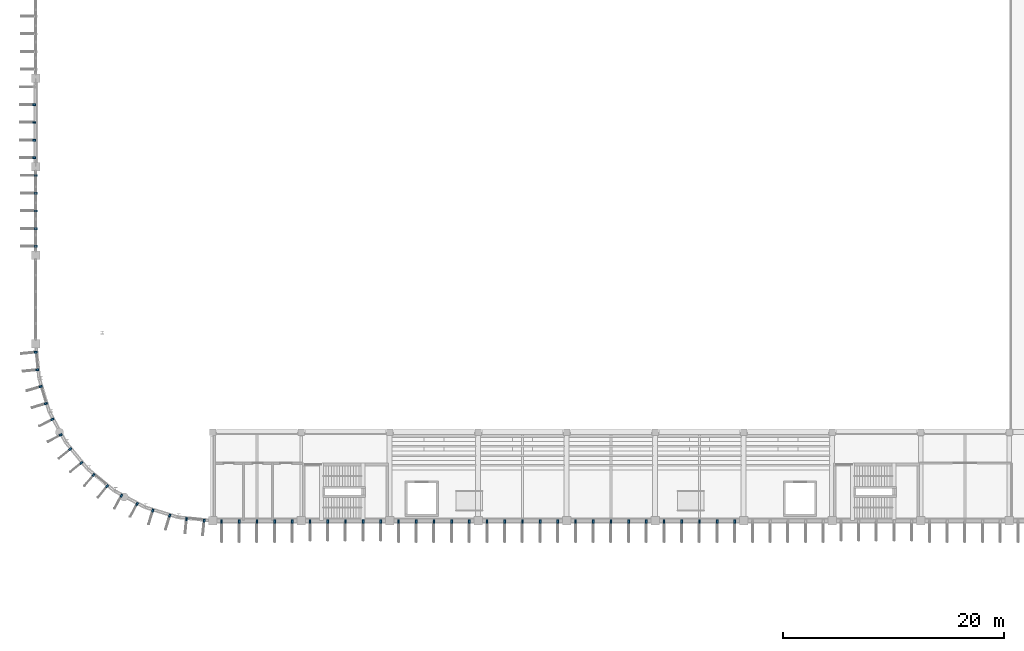
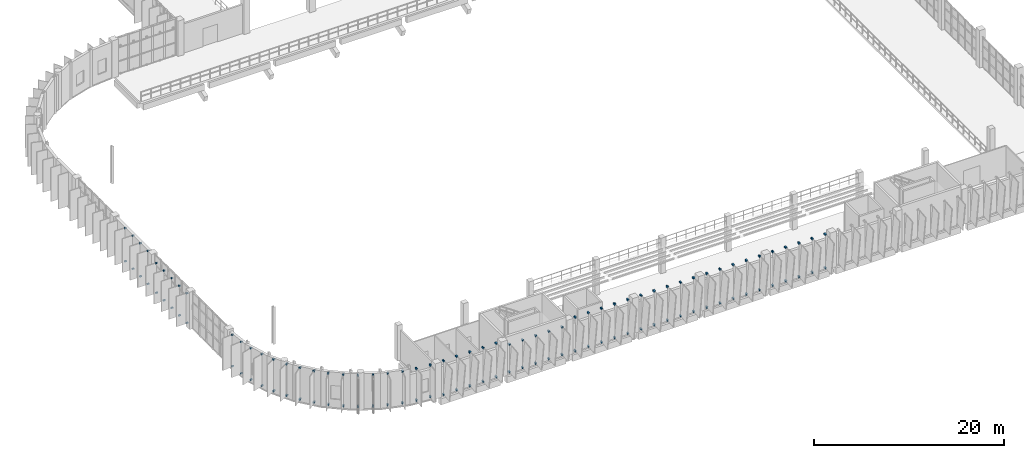
# One storey, part 79 of 93: 110 discrete accessories.
"""IFC4 building model written with IfcOpenShell, lengths in metres."""

from ifc_helpers import new_model, si_unit, direction, frame, origin, origin_2d, place, context, subcontext, project, spatial, rectangle, extrude, material, type_object, element, save


model = new_model("IFC4")

# Units and contexts
model_context = context("Model", 3, precision=1e-05, world=origin(), true_north=direction((0.0, 1.0)))
body_context = subcontext(model_context, "Body", "Model", "MODEL_VIEW")
ifc_project = project(units=[si_unit("LENGTHUNIT", "METRE"), si_unit("AREAUNIT", "SQUARE_METRE"), si_unit("VOLUMEUNIT", "CUBIC_METRE"), si_unit("PLANEANGLEUNIT", "RADIAN"), si_unit("MASSUNIT", "GRAM", prefix="KILO")], contexts=[model_context])

# Site, building, storey
site_placement = place(None, origin())
site = spatial("IfcSite", under=ifc_project, at=site_placement, CompositionType="ELEMENT")
building_placement = place(site_placement, origin())
building = spatial("IfcBuilding", under=site, at=building_placement, Name="Drelvana Railside Aquatics Centre", CompositionType="ELEMENT")
storey_placement = place(building_placement, frame((0.0, 0.0, 5.39990234375)))
storey = spatial("IfcBuildingStorey", under=building, at=storey_placement, Name="L01", CompositionType="ELEMENT", Elevation=5.39990234375)

# Discrete accessories
ifc_material = material(Name="Stainless steel 316 facade bracket", Category="steel")
discrete_accessory_type = type_object("IfcDiscreteAccessoryType", Name="ACC-BRACKET-FIN", PredefinedType="BRACKET", material=ifc_material)
for number, where, z_axis, x_axis, name in (
    (1, (16.800048828125, 15.925048828125, -0.0146484375), (0.0, 0.0, 1.0), (0.0, -1.0, 0.0), "Shading fin bracket BK-0005"),
    (2, (16.800048828125, 15.925048828125, 4.294921875), (0.0, 0.0, 1.0), (0.0, -1.0, 0.0), "Shading fin bracket BK-0006"),
    (3, (18.39990234375, 15.925048828125, -0.0146484375), (0.0, 0.0, 1.0), (0.0, -1.0, 0.0), "Shading fin bracket BK-0007"),
    (4, (18.39990234375, 15.925048828125, 4.294921875), (0.0, 0.0, 1.0), (0.0, -1.0, 0.0), "Shading fin bracket BK-0008"),
    (5, (20.0, 15.925048828125, -0.0146484375), (0.0, 0.0, 1.0), (0.0, -1.0, 0.0), "Shading fin bracket BK-0009"),
    (6, (20.0, 15.925048828125, 4.294921875), (0.0, 0.0, 1.0), (0.0, -1.0, 0.0), "Shading fin bracket BK-0010"),
    (7, (21.60009765625, 15.925048828125, -0.0146484375), (0.0, 0.0, 1.0), (0.0, -1.0, 0.0), "Shading fin bracket BK-0011"),
    (8, (21.60009765625, 15.925048828125, 4.294921875), (0.0, 0.0, 1.0), (0.0, -1.0, 0.0), "Shading fin bracket BK-0012"),
    (9, (23.199951171875, 15.925048828125, -0.0146484375), (0.0, 0.0, 1.0), (0.0, -1.0, 0.0), "Shading fin bracket BK-0013"),
    (10, (23.199951171875, 15.925048828125, 4.294921875), (0.0, 0.0, 1.0), (0.0, -1.0, 0.0), "Shading fin bracket BK-0014"),
    (11, (24.800048828125, 15.929931640625, 0.06494140625), (0.0, 0.0, 1.0), (0.0, -1.0, 0.0), "Shading fin bracket BK-0035"),
    (12, (24.800048828125, 15.929931640625, 3.60498046875), (0.0, 0.0, 1.0), (0.0, -1.0, 0.0), "Shading fin bracket BK-0036"),
    (13, (26.39990234375, 15.929931640625, 0.06494140625), (0.0, 0.0, 1.0), (0.0, -1.0, 0.0), "Shading fin bracket BK-0037"),
    (14, (26.39990234375, 15.929931640625, 3.60498046875), (0.0, 0.0, 1.0), (0.0, -1.0, 0.0), "Shading fin bracket BK-0038"),
    (15, (28.0, 15.929931640625, 0.06494140625), (0.0, 0.0, 1.0), (0.0, -1.0, 0.0), "Shading fin bracket BK-0039"),
    (16, (28.0, 15.929931640625, 3.60498046875), (0.0, 0.0, 1.0), (0.0, -1.0, 0.0), "Shading fin bracket BK-0040"),
    (17, (29.60009765625, 15.929931640625, 0.06494140625), (0.0, 0.0, 1.0), (0.0, -1.0, 0.0), "Shading fin bracket BK-0041"),
    (18, (29.60009765625, 15.929931640625, 3.60498046875), (0.0, 0.0, 1.0), (0.0, -1.0, 0.0), "Shading fin bracket BK-0042"),
    (19, (31.199951171875, 15.929931640625, 0.06494140625), (0.0, 0.0, 1.0), (0.0, -1.0, 0.0), "Shading fin bracket BK-0043"),
    (20, (31.199951171875, 15.929931640625, 3.60498046875), (0.0, 0.0, 1.0), (0.0, -1.0, 0.0), "Shading fin bracket BK-0044"),
    (21, (32.800048828125, 15.925048828125, -0.0146484375), (0.0, 0.0, 1.0), (0.0, -1.0, 0.0), "Shading fin bracket BK-0063"),
    (22, (32.800048828125, 15.925048828125, 4.294921875), (0.0, 0.0, 1.0), (0.0, -1.0, 0.0), "Shading fin bracket BK-0064"),
    (23, (34.39990234375, 15.925048828125, -0.0146484375), (0.0, 0.0, 1.0), (0.0, -1.0, 0.0), "Shading fin bracket BK-0065"),
    (24, (34.39990234375, 15.925048828125, 4.294921875), (0.0, 0.0, 1.0), (0.0, -1.0, 0.0), "Shading fin bracket BK-0066"),
    (25, (36.0, 15.925048828125, -0.0146484375), (0.0, 0.0, 1.0), (0.0, -1.0, 0.0), "Shading fin bracket BK-0067"),
    (26, (36.0, 15.925048828125, 4.294921875), (0.0, 0.0, 1.0), (0.0, -1.0, 0.0), "Shading fin bracket BK-0068"),
    (27, (37.60009765625, 15.925048828125, -0.0146484375), (0.0, 0.0, 1.0), (0.0, -1.0, 0.0), "Shading fin bracket BK-0069"),
    (28, (37.60009765625, 15.925048828125, 4.294921875), (0.0, 0.0, 1.0), (0.0, -1.0, 0.0), "Shading fin bracket BK-0070"),
    (29, (39.199951171875, 15.925048828125, -0.0146484375), (0.0, 0.0, 1.0), (0.0, -1.0, 0.0), "Shading fin bracket BK-0071"),
    (30, (39.199951171875, 15.925048828125, 4.294921875), (0.0, 0.0, 1.0), (0.0, -1.0, 0.0), "Shading fin bracket BK-0072"),
    (31, (40.800048828125, 15.925048828125, -0.0146484375), (0.0, 0.0, 1.0), (0.0, -1.0, 0.0), "Shading fin bracket BK-0091"),
    (32, (40.800048828125, 15.925048828125, 4.294921875), (0.0, 0.0, 1.0), (0.0, -1.0, 0.0), "Shading fin bracket BK-0092"),
    (33, (42.39990234375, 15.925048828125, -0.0146484375), (0.0, 0.0, 1.0), (0.0, -1.0, 0.0), "Shading fin bracket BK-0093"),
    (34, (42.39990234375, 15.925048828125, 4.294921875), (0.0, 0.0, 1.0), (0.0, -1.0, 0.0), "Shading fin bracket BK-0094"),
    (35, (44.0, 15.925048828125, -0.0146484375), (0.0, 0.0, 1.0), (0.0, -1.0, 0.0), "Shading fin bracket BK-0095"),
    (36, (44.0, 15.925048828125, 4.294921875), (0.0, 0.0, 1.0), (0.0, -1.0, 0.0), "Shading fin bracket BK-0096"),
    (37, (45.60009765625, 15.925048828125, -0.0146484375), (0.0, 0.0, 1.0), (0.0, -1.0, 0.0), "Shading fin bracket BK-0097"),
    (38, (45.60009765625, 15.925048828125, 4.294921875), (0.0, 0.0, 1.0), (0.0, -1.0, 0.0), "Shading fin bracket BK-0098"),
    (39, (47.199951171875, 15.925048828125, -0.0146484375), (0.0, 0.0, 1.0), (0.0, -1.0, 0.0), "Shading fin bracket BK-0099"),
    (40, (47.199951171875, 15.925048828125, 4.294921875), (0.0, 0.0, 1.0), (0.0, -1.0, 0.0), "Shading fin bracket BK-0100"),
    (41, (48.800048828125, 15.925048828125, -0.0146484375), (0.0, 0.0, 1.0), (0.0, -1.0, 0.0), "Shading fin bracket BK-0123"),
    (42, (48.800048828125, 15.925048828125, 4.294921875), (0.0, 0.0, 1.0), (0.0, -1.0, 0.0), "Shading fin bracket BK-0124"),
    (43, (50.39990234375, 15.925048828125, -0.0146484375), (0.0, 0.0, 1.0), (0.0, -1.0, 0.0), "Shading fin bracket BK-0125"),
    (44, (50.39990234375, 15.925048828125, 4.294921875), (0.0, 0.0, 1.0), (0.0, -1.0, 0.0), "Shading fin bracket BK-0126"),
    (45, (52.0, 15.925048828125, -0.0146484375), (0.0, 0.0, 1.0), (0.0, -1.0, 0.0), "Shading fin bracket BK-0127"),
    (46, (52.0, 15.925048828125, 4.294921875), (0.0, 0.0, 1.0), (0.0, -1.0, 0.0), "Shading fin bracket BK-0128"),
    (47, (53.60009765625, 15.925048828125, -0.0146484375), (0.0, 0.0, 1.0), (0.0, -1.0, 0.0), "Shading fin bracket BK-0129"),
    (48, (53.60009765625, 15.925048828125, 4.294921875), (0.0, 0.0, 1.0), (0.0, -1.0, 0.0), "Shading fin bracket BK-0130"),
    (49, (55.199951171875, 15.925048828125, -0.0146484375), (0.0, 0.0, 1.0), (0.0, -1.0, 0.0), "Shading fin bracket BK-0131"),
    (50, (55.199951171875, 15.925048828125, 4.294921875), (0.0, 0.0, 1.0), (0.0, -1.0, 0.0), "Shading fin bracket BK-0132"),
    (51, (56.800048828125, 15.925048828125, -0.0146484375), (0.0, 0.0, 1.0), (0.0, -1.0, 0.0), "Shading fin bracket BK-0147"),
    (52, (56.800048828125, 15.925048828125, 4.294921875), (0.0, 0.0, 1.0), (0.0, -1.0, 0.0), "Shading fin bracket BK-0148"),
    (53, (58.39990234375, 15.925048828125, -0.0146484375), (0.0, 0.0, 1.0), (0.0, -1.0, 0.0), "Shading fin bracket BK-0149"),
    (54, (58.39990234375, 15.925048828125, 4.294921875), (0.0, 0.0, 1.0), (0.0, -1.0, 0.0), "Shading fin bracket BK-0150"),
    (55, (60.0, 15.925048828125, -0.0146484375), (0.0, 0.0, 1.0), (0.0, -1.0, 0.0), "Shading fin bracket BK-0151"),
    (56, (60.0, 15.925048828125, 4.294921875), (0.0, 0.0, 1.0), (0.0, -1.0, 0.0), "Shading fin bracket BK-0152"),
    (57, (61.60009765625, 15.925048828125, -0.0146484375), (0.0, 0.0, 1.0), (0.0, -1.0, 0.0), "Shading fin bracket BK-0153"),
    (58, (61.60009765625, 15.925048828125, 4.294921875), (0.0, 0.0, 1.0), (0.0, -1.0, 0.0), "Shading fin bracket BK-0154"),
    (59, (63.199951171875, 15.925048828125, -0.0146484375), (0.0, 0.0, 1.0), (0.0, -1.0, 0.0), "Shading fin bracket BK-0155"),
    (60, (63.199951171875, 15.925048828125, 4.294921875), (0.0, 0.0, 1.0), (0.0, -1.0, 0.0), "Shading fin bracket BK-0156"),
    (61, (-0.010009765625, 40.800048828125, -0.03466796875), (0.0, 0.0, 1.0), (-1.0, 0.0, 0.0), "Shading fin bracket BK-0433"),
    (62, (-0.010009765625, 40.800048828125, 3.77490234375), (0.0, 0.0, 1.0), (-1.0, 0.0, 0.0), "Shading fin bracket BK-0434"),
    (63, (-0.010009765625, 42.39990234375, -0.03466796875), (0.0, 0.0, 1.0), (-1.0, 0.0, 0.0), "Shading fin bracket BK-0435"),
    (64, (-0.010009765625, 42.39990234375, 3.77490234375), (0.0, 0.0, 1.0), (-1.0, 0.0, 0.0), "Shading fin bracket BK-0436"),
    (65, (-0.010009765625, 44.0, -0.03466796875), (0.0, 0.0, 1.0), (-1.0, 0.0, 0.0), "Shading fin bracket BK-0437"),
    (66, (-0.010009765625, 44.0, 3.77490234375), (0.0, 0.0, 1.0), (-1.0, 0.0, 0.0), "Shading fin bracket BK-0438"),
    (67, (-0.010009765625, 45.60009765625, -0.03466796875), (0.0, 0.0, 1.0), (-1.0, 0.0, 0.0), "Shading fin bracket BK-0439"),
    (68, (-0.010009765625, 45.60009765625, 3.77490234375), (0.0, 0.0, 1.0), (-1.0, 0.0, 0.0), "Shading fin bracket BK-0440"),
    (69, (-0.010009765625, 47.199951171875, -0.03466796875), (0.0, 0.0, 1.0), (-1.0, 0.0, 0.0), "Shading fin bracket BK-0441"),
    (70, (-0.010009765625, 47.199951171875, 3.77490234375), (0.0, 0.0, 1.0), (-1.0, 0.0, 0.0), "Shading fin bracket BK-0442"),
    (71, (-0.114990234375, 48.800048828125, 0.1650390625), (0.0, 0.0, 1.0), (-1.0, 0.0, 0.0), "Shading fin bracket BK-0473"),
    (72, (-0.114990234375, 48.800048828125, 4.42529296875), (0.0, 0.0, 1.0), (-1.0, 0.0, 0.0), "Shading fin bracket BK-0474"),
    (73, (-0.114990234375, 50.39990234375, 0.1650390625), (0.0, 0.0, 1.0), (-1.0, 0.0, 0.0), "Shading fin bracket BK-0475"),
    (74, (-0.114990234375, 50.39990234375, 4.42529296875), (0.0, 0.0, 1.0), (-1.0, 0.0, 0.0), "Shading fin bracket BK-0476"),
    (75, (-0.114990234375, 52.0, 0.1650390625), (0.0, 0.0, 1.0), (-1.0, 0.0, 0.0), "Shading fin bracket BK-0477"),
    (76, (-0.114990234375, 52.0, 4.42529296875), (0.0, 0.0, 1.0), (-1.0, 0.0, 0.0), "Shading fin bracket BK-0478"),
    (77, (-0.114990234375, 53.60009765625, 0.1650390625), (0.0, 0.0, 1.0), (-1.0, 0.0, 0.0), "Shading fin bracket BK-0479"),
    (78, (-0.114990234375, 53.60009765625, 4.42529296875), (0.0, 0.0, 1.0), (-1.0, 0.0, 0.0), "Shading fin bracket BK-0480"),
    (79, (-0.00927734375, 31.22705078125, 0.21533203125), (0.0, 0.0, 1.0), (-0.995184726672, -0.09801714033, 0.0), "Shading fin bracket BK-0563"),
    (80, (-0.00927734375, 31.22705078125, 4.25537109375), (0.0, 0.0, 1.0), (-0.995184726672, -0.09801714033, 0.0), "Shading fin bracket BK-0564"),
    (81, (0.1474609375, 29.634765625, 0.21533203125), (0.0, 0.0, 1.0), (-0.995184726672, -0.09801714033, 0.0), "Shading fin bracket BK-0565"),
    (82, (0.1474609375, 29.634765625, 4.25537109375), (0.0, 0.0, 1.0), (-0.995184726672, -0.09801714033, 0.0), "Shading fin bracket BK-0566"),
    (83, (0.44921875, 28.11865234375, 0.21533203125), (0.0, 0.0, 1.0), (-0.956940335732, -0.290284677254, 0.0), "Shading fin bracket BK-0579"),
    (84, (0.44921875, 28.11865234375, 4.25537109375), (0.0, 0.0, 1.0), (-0.956940335732, -0.290284677254, 0.0), "Shading fin bracket BK-0580"),
    (85, (0.91357421875, 26.587646484375, 0.21533203125), (0.0, 0.0, 1.0), (-0.956940335732, -0.290284677254, 0.0), "Shading fin bracket BK-0581"),
    (86, (0.91357421875, 26.587646484375, 4.25537109375), (0.0, 0.0, 1.0), (-0.956940335732, -0.290284677254, 0.0), "Shading fin bracket BK-0582"),
    (87, (1.505126953125, 25.159423828125, 0.21533203125), (0.0, 0.0, 1.0), (-0.881921264348, -0.471396736826, 0.0), "Shading fin bracket BK-0595"),
    (88, (1.505126953125, 25.159423828125, 4.25537109375), (0.0, 0.0, 1.0), (-0.881921264348, -0.471396736826, 0.0), "Shading fin bracket BK-0596"),
    (89, (2.259521484375, 23.748291015625, 0.21533203125), (0.0, 0.0, 1.0), (-0.881921264348, -0.471396736826, 0.0), "Shading fin bracket BK-0597"),
    (90, (2.259521484375, 23.748291015625, 4.25537109375), (0.0, 0.0, 1.0), (-0.881921264348, -0.471396736826, 0.0), "Shading fin bracket BK-0598"),
    (91, (3.1181640625, 22.463134765625, 0.21533203125), (0.0, 0.0, 1.0), (-0.773010453363, -0.634393284164, 0.0), "Shading fin bracket BK-0611"),
    (92, (3.1181640625, 22.463134765625, 4.25537109375), (0.0, 0.0, 1.0), (-0.773010453363, -0.634393284164, 0.0), "Shading fin bracket BK-0612"),
    (93, (4.13330078125, 21.226318359375, 0.21533203125), (0.0, 0.0, 1.0), (-0.773010453363, -0.634393284164, 0.0), "Shading fin bracket BK-0613"),
    (94, (4.13330078125, 21.226318359375, 4.25537109375), (0.0, 0.0, 1.0), (-0.773010453363, -0.634393284164, 0.0), "Shading fin bracket BK-0614"),
    (95, (5.226318359375, 20.13330078125, 0.21533203125), (0.0, 0.0, 1.0), (-0.634393284164, -0.773010453363, 0.0), "Shading fin bracket BK-0627"),
    (96, (5.226318359375, 20.13330078125, 4.25537109375), (0.0, 0.0, 1.0), (-0.634393284164, -0.773010453363, 0.0), "Shading fin bracket BK-0628"),
    (97, (6.463134765625, 19.1181640625, 0.21533203125), (0.0, 0.0, 1.0), (-0.634393284164, -0.773010453363, 0.0), "Shading fin bracket BK-0629"),
    (98, (6.463134765625, 19.1181640625, 4.25537109375), (0.0, 0.0, 1.0), (-0.634393284164, -0.773010453363, 0.0), "Shading fin bracket BK-0630"),
    (99, (7.748291015625, 18.259521484375, 0.21533203125), (0.0, 0.0, 1.0), (-0.471396736826, -0.881921264348, 0.0), "Shading fin bracket BK-0643"),
    (100, (7.748291015625, 18.259521484375, 4.25537109375), (0.0, 0.0, 1.0), (-0.471396736826, -0.881921264348, 0.0), "Shading fin bracket BK-0644"),
    (101, (9.159423828125, 17.505126953125, 0.21533203125), (0.0, 0.0, 1.0), (-0.471396736826, -0.881921264348, 0.0), "Shading fin bracket BK-0645"),
    (102, (9.159423828125, 17.505126953125, 4.25537109375), (0.0, 0.0, 1.0), (-0.471396736826, -0.881921264348, 0.0), "Shading fin bracket BK-0646"),
    (103, (10.587646484375, 16.91357421875, 0.21533203125), (0.0, 0.0, 1.0), (-0.290284677254, -0.956940335732, 0.0), "Shading fin bracket BK-0659"),
    (104, (10.587646484375, 16.91357421875, 4.25537109375), (0.0, 0.0, 1.0), (-0.290284677254, -0.956940335732, 0.0), "Shading fin bracket BK-0660"),
    (105, (12.11865234375, 16.44921875, 0.21533203125), (0.0, 0.0, 1.0), (-0.290284677254, -0.956940335732, 0.0), "Shading fin bracket BK-0661"),
    (106, (12.11865234375, 16.44921875, 4.25537109375), (0.0, 0.0, 1.0), (-0.290284677254, -0.956940335732, 0.0), "Shading fin bracket BK-0662"),
    (107, (13.634765625, 16.1474609375, 0.21533203125), (0.0, 0.0, 1.0), (-0.09801714033, -0.995184726672, 0.0), "Shading fin bracket BK-0675"),
    (108, (13.634765625, 16.1474609375, 4.25537109375), (0.0, 0.0, 1.0), (-0.09801714033, -0.995184726672, 0.0), "Shading fin bracket BK-0676"),
    (109, (15.22705078125, 15.99072265625, 0.21533203125), (0.0, 0.0, 1.0), (-0.09801714033, -0.995184726672, 0.0), "Shading fin bracket BK-0677"),
    (110, (15.22705078125, 15.99072265625, 4.25537109375), (0.0, 0.0, 1.0), (-0.09801714033, -0.995184726672, 0.0), "Shading fin bracket BK-0678"),
):
    element("IfcDiscreteAccessory", number, at=place(storey_placement, frame(where, z_axis=z_axis, x_axis=x_axis)), inside=storey, type_object=discrete_accessory_type, Name=name, PredefinedType="BRACKET", context=body_context, shape_type="SweptSolid", body=[
        extrude(rectangle(XDim=0.280029296875, YDim=0.159912109375, at=origin_2d()), origin(), (0.0, 0.0, 1.0), 0.159912109375),
    ])

save(model, "model.ifc")
